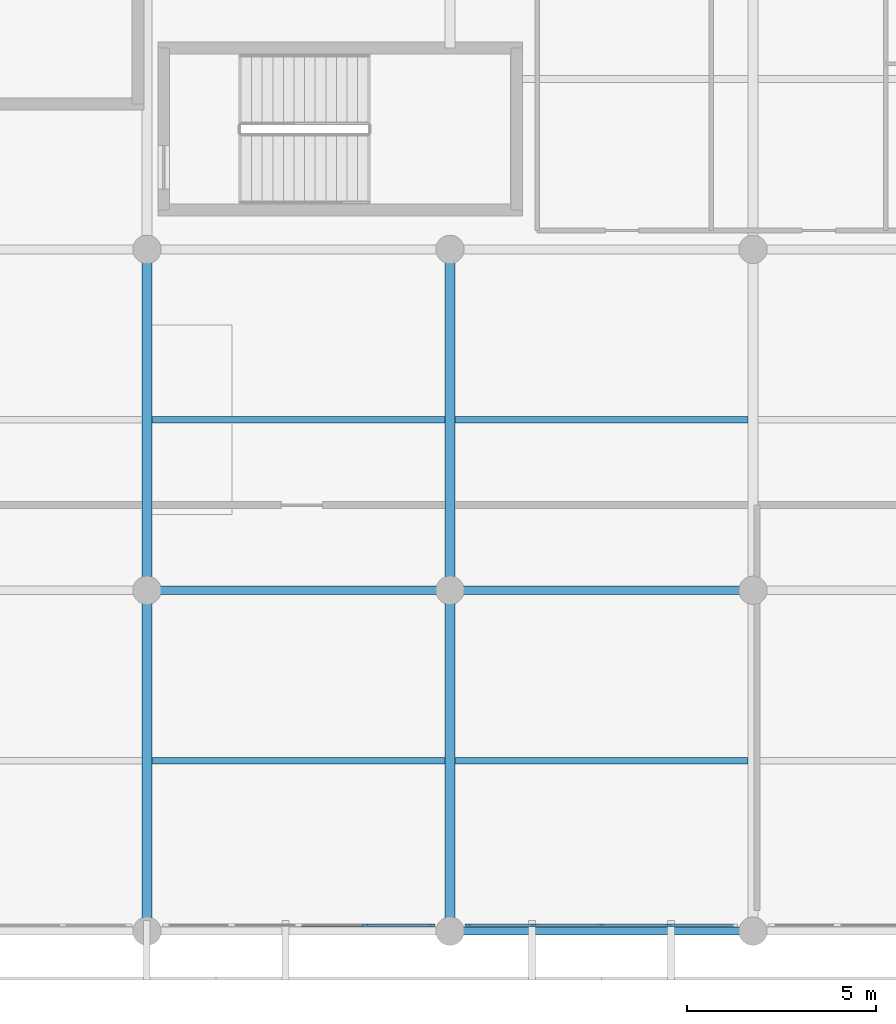
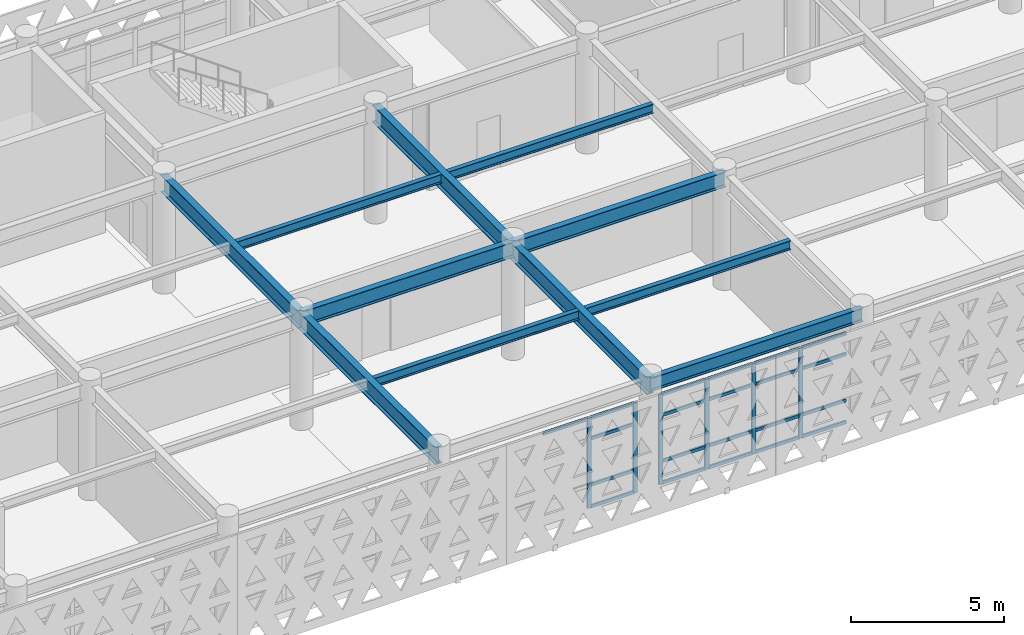
# One storey, part 8 of 33: 27 members, 11 beams, 2 elements without a shape of their own.
"""IFC4 building model written with IfcOpenShell, lengths in metres."""

from ifc_helpers import new_model, si_unit, direction, frame, origin, origin_2d, place, context, subcontext, project, spatial, rectangle, i_section, extrude, material, layer, layer_set, material_profile, profile_set, type_object, element, aggregate, save


model = new_model("IFC4")

# Units and contexts
model_context = context("Model", 3, precision=1e-05, world=origin(), true_north=direction((0.0, 1.0)))
body_context = subcontext(model_context, "Body", "Model", "MODEL_VIEW")
ifc_project = project(units=[si_unit("LENGTHUNIT", "METRE"), si_unit("AREAUNIT", "SQUARE_METRE"), si_unit("VOLUMEUNIT", "CUBIC_METRE"), si_unit("PLANEANGLEUNIT", "RADIAN"), si_unit("MASSUNIT", "GRAM", prefix="KILO")], contexts=[model_context])

# Site, building, storey
site_placement = place(None, origin())
site = spatial("IfcSite", under=ifc_project, at=site_placement, CompositionType="ELEMENT")
building_placement = place(site_placement, origin())
building = spatial("IfcBuilding", under=site, at=building_placement, Name="Tlacozan Convention Centre", CompositionType="ELEMENT")
storey_placement = place(building_placement, frame((0.0, 0.0, 16.199951171875)))
storey = spatial("IfcBuildingStorey", under=building, at=storey_placement, Name="L03", CompositionType="ELEMENT", Elevation=16.199951171875)

# Curtain wall, members
ifc_material_1 = material(Name="Dark Bronze Anodised Aluminium", Category="aluminium")
ifc_layer = layer(ifc_material_1, 0.159912109375)
ifc_layer_set = layer_set([ifc_layer], Name="Dark Bronze Anodised Aluminium")
curtain_wall_type = type_object("IfcCurtainWallType", Name="Unitised Congress L03 South CW04", PredefinedType="NOTDEFINED", material=ifc_layer_set)
curtain_wall_1_placement = place(storey_placement, origin())
curtain_wall_1 = element("IfcCurtainWall", 1, at=curtain_wall_1_placement, inside=storey, type_object=curtain_wall_type, Name="L03 CW-04 Run 106", PredefinedType="NOTDEFINED")
ifc_material_profile_1 = material_profile(ifc_material_1, rectangle(XDim=0.06494140625, YDim=0.159912109375, at=origin_2d()), Name="ALU 65x160")
ifc_profile_set_1 = profile_set([ifc_material_profile_1], Name="Dark Bronze Anodised Aluminium")
member_type_1 = type_object("IfcMemberType", Name="Curtain Wall Mullion 65x160", PredefinedType="MULLION", material=ifc_profile_set_1)
member_1_placement = place(storey_placement, frame((53.77490234375, 0.159912109375, 0.0), z_axis=(0.0, 0.0, 1.0), x_axis=(0.0, 1.0, 0.0)))
member_1 = element("IfcMember", 2, at=member_1_placement, type_object=member_type_1, Name="CW-04 mullion 4", PredefinedType="MULLION", context=body_context, shape_type="SweptSolid", body=[
    extrude(rectangle(XDim=0.06494140625, YDim=0.159912109375, at=origin_2d()), origin(), (0.0, 0.0, 1.0), 3.60009765625),
])
member_2_placement = place(storey_placement, frame((55.517578125, 0.159912109375, 0.0), z_axis=(0.0, 0.0, 1.0), x_axis=(0.0, 1.0, 0.0)))
member_2 = element("IfcMember", 3, at=member_2_placement, type_object=member_type_1, Name="CW-04 mullion 5", PredefinedType="MULLION", context=body_context, shape_type="SweptSolid", body=[
    extrude(rectangle(XDim=0.06494140625, YDim=0.159912109375, at=origin_2d()), origin(), (0.0, 0.0, 1.0), 3.60009765625),
])

curtain_wall_2_placement = place(storey_placement, origin())
curtain_wall_2 = element("IfcCurtainWall", 4, at=curtain_wall_2_placement, inside=storey, type_object=curtain_wall_type, Name="L03 CW-04 Run 107", PredefinedType="NOTDEFINED")
member_3_placement = place(storey_placement, frame((56.482421875, 0.159912109375, 0.0), z_axis=(0.0, 0.0, 1.0), x_axis=(0.0, 1.0, 0.0)))
member_3 = element("IfcMember", 5, at=member_3_placement, type_object=member_type_1, Name="CW-04 mullion 1", PredefinedType="MULLION", context=body_context, shape_type="SweptSolid", body=[
    extrude(rectangle(XDim=0.06494140625, YDim=0.159912109375, at=origin_2d()), origin(), (0.0, 0.0, 1.0), 3.60009765625),
])
member_4_placement = place(storey_placement, frame((58.22509765625, 0.159912109375, 0.0), z_axis=(0.0, 0.0, 1.0), x_axis=(0.0, 1.0, 0.0)))
member_4 = element("IfcMember", 6, at=member_4_placement, type_object=member_type_1, Name="CW-04 mullion 2", PredefinedType="MULLION", context=body_context, shape_type="SweptSolid", body=[
    extrude(rectangle(XDim=0.06494140625, YDim=0.159912109375, at=origin_2d()), origin(), (0.0, 0.0, 1.0), 3.60009765625),
])
member_5_placement = place(storey_placement, frame((60.0, 0.159912109375, 0.0), z_axis=(0.0, 0.0, 1.0), x_axis=(0.0, 1.0, 0.0)))
member_5 = element("IfcMember", 7, at=member_5_placement, type_object=member_type_1, Name="CW-04 mullion 3", PredefinedType="MULLION", context=body_context, shape_type="SweptSolid", body=[
    extrude(rectangle(XDim=0.06494140625, YDim=0.159912109375, at=origin_2d()), origin(), (0.0, 0.0, 1.0), 3.60009765625),
])
member_6_placement = place(storey_placement, frame((61.77490234375, 0.159912109375, 0.0), z_axis=(0.0, 0.0, 1.0), x_axis=(0.0, 1.0, 0.0)))
member_6 = element("IfcMember", 8, at=member_6_placement, type_object=member_type_1, Name="CW-04 mullion 4", PredefinedType="MULLION", context=body_context, shape_type="SweptSolid", body=[
    extrude(rectangle(XDim=0.06494140625, YDim=0.159912109375, at=origin_2d()), origin(), (0.0, 0.0, 1.0), 3.60009765625),
])

# Member
ifc_material_profile_2 = material_profile(ifc_material_1, rectangle(XDim=0.06494140625, YDim=0.125, at=origin_2d()), Name="ALU 65x125")
ifc_profile_set_2 = profile_set([ifc_material_profile_2], Name="Dark Bronze Anodised Aluminium")
member_type_2 = type_object("IfcMemberType", Name="Curtain Wall Transom 65x125", PredefinedType="USERDEFINED", material=ifc_profile_set_2)
member_7_placement = place(storey_placement, frame((52.032470703125, 0.159912109375, 3.567626953125), z_axis=(1.0, 0.0, 0.0), x_axis=(0.0, 1.0, 0.0)))
member_7 = element("IfcMember", 9, at=member_7_placement, type_object=member_type_2, Name="CW-04 transom 3.4", ObjectType="TRANSOM", PredefinedType="USERDEFINED", context=body_context, shape_type="SweptSolid", body=[
    extrude(rectangle(XDim=0.06494140625, YDim=0.125, at=origin_2d()), origin(), (0.0, 0.0, 1.0), 1.7099609375),
])

member_8_placement = place(storey_placement, frame((53.8076171875, 0.159912109375, 0.032470703125), z_axis=(1.0, 0.0, 0.0), x_axis=(0.0, 1.0, 0.0)))
member_8 = element("IfcMember", 10, at=member_8_placement, type_object=member_type_2, Name="CW-04 transom 4.1", ObjectType="TRANSOM", PredefinedType="USERDEFINED", context=body_context, shape_type="SweptSolid", body=[
    extrude(rectangle(XDim=0.06494140625, YDim=0.125, at=origin_2d()), origin(), (0.0, 0.0, 1.0), 1.677490234375),
])

member_9_placement = place(storey_placement, frame((53.8076171875, 0.159912109375, 0.900146484375), z_axis=(1.0, 0.0, 0.0), x_axis=(0.0, 1.0, 0.0)))
member_9 = element("IfcMember", 11, at=member_9_placement, type_object=member_type_2, Name="CW-04 transom 4.2", ObjectType="TRANSOM", PredefinedType="USERDEFINED", context=body_context, shape_type="SweptSolid", body=[
    extrude(rectangle(XDim=0.06494140625, YDim=0.125, at=origin_2d()), origin(), (0.0, 0.0, 1.0), 1.677490234375),
])

member_10_placement = place(storey_placement, frame((53.8076171875, 0.159912109375, 2.75), z_axis=(1.0, 0.0, 0.0), x_axis=(0.0, 1.0, 0.0)))
member_10 = element("IfcMember", 12, at=member_10_placement, type_object=member_type_2, Name="CW-04 transom 4.3", ObjectType="TRANSOM", PredefinedType="USERDEFINED", context=body_context, shape_type="SweptSolid", body=[
    extrude(rectangle(XDim=0.06494140625, YDim=0.125, at=origin_2d()), origin(), (0.0, 0.0, 1.0), 1.677490234375),
])

member_11_placement = place(storey_placement, frame((53.8076171875, 0.159912109375, 3.567626953125), z_axis=(1.0, 0.0, 0.0), x_axis=(0.0, 1.0, 0.0)))
member_11 = element("IfcMember", 13, at=member_11_placement, type_object=member_type_2, Name="CW-04 transom 4.4", ObjectType="TRANSOM", PredefinedType="USERDEFINED", context=body_context, shape_type="SweptSolid", body=[
    extrude(rectangle(XDim=0.06494140625, YDim=0.125, at=origin_2d()), origin(), (0.0, 0.0, 1.0), 1.677490234375),
])

aggregate(curtain_wall_1, [member_1, member_2, member_7, member_8, member_9, member_10, member_11])

member_12_placement = place(storey_placement, frame((56.514892578125, 0.159912109375, 0.032470703125), z_axis=(1.0, 0.0, 0.0), x_axis=(0.0, 1.0, 0.0)))
member_12 = element("IfcMember", 14, at=member_12_placement, type_object=member_type_2, Name="CW-04 transom 1.1", ObjectType="TRANSOM", PredefinedType="USERDEFINED", context=body_context, shape_type="SweptSolid", body=[
    extrude(rectangle(XDim=0.06494140625, YDim=0.125, at=origin_2d()), origin(), (0.0, 0.0, 1.0), 1.677490234375),
])

member_13_placement = place(storey_placement, frame((56.514892578125, 0.159912109375, 0.900146484375), z_axis=(1.0, 0.0, 0.0), x_axis=(0.0, 1.0, 0.0)))
member_13 = element("IfcMember", 15, at=member_13_placement, type_object=member_type_2, Name="CW-04 transom 1.2", ObjectType="TRANSOM", PredefinedType="USERDEFINED", context=body_context, shape_type="SweptSolid", body=[
    extrude(rectangle(XDim=0.06494140625, YDim=0.125, at=origin_2d()), origin(), (0.0, 0.0, 1.0), 1.677490234375),
])

member_14_placement = place(storey_placement, frame((56.514892578125, 0.159912109375, 2.75), z_axis=(1.0, 0.0, 0.0), x_axis=(0.0, 1.0, 0.0)))
member_14 = element("IfcMember", 16, at=member_14_placement, type_object=member_type_2, Name="CW-04 transom 1.3", ObjectType="TRANSOM", PredefinedType="USERDEFINED", context=body_context, shape_type="SweptSolid", body=[
    extrude(rectangle(XDim=0.06494140625, YDim=0.125, at=origin_2d()), origin(), (0.0, 0.0, 1.0), 1.677490234375),
])

member_15_placement = place(storey_placement, frame((56.514892578125, 0.159912109375, 3.567626953125), z_axis=(1.0, 0.0, 0.0), x_axis=(0.0, 1.0, 0.0)))
member_15 = element("IfcMember", 17, at=member_15_placement, type_object=member_type_2, Name="CW-04 transom 1.4", ObjectType="TRANSOM", PredefinedType="USERDEFINED", context=body_context, shape_type="SweptSolid", body=[
    extrude(rectangle(XDim=0.06494140625, YDim=0.125, at=origin_2d()), origin(), (0.0, 0.0, 1.0), 1.677490234375),
])

member_16_placement = place(storey_placement, frame((58.257568359375, 0.159912109375, 0.032470703125), z_axis=(1.0, 0.0, 0.0), x_axis=(0.0, 1.0, 0.0)))
member_16 = element("IfcMember", 18, at=member_16_placement, type_object=member_type_2, Name="CW-04 transom 2.1", ObjectType="TRANSOM", PredefinedType="USERDEFINED", context=body_context, shape_type="SweptSolid", body=[
    extrude(rectangle(XDim=0.06494140625, YDim=0.125, at=origin_2d()), origin(), (0.0, 0.0, 1.0), 1.7099609375),
])

member_17_placement = place(storey_placement, frame((58.257568359375, 0.159912109375, 0.900146484375), z_axis=(1.0, 0.0, 0.0), x_axis=(0.0, 1.0, 0.0)))
member_17 = element("IfcMember", 19, at=member_17_placement, type_object=member_type_2, Name="CW-04 transom 2.2", ObjectType="TRANSOM", PredefinedType="USERDEFINED", context=body_context, shape_type="SweptSolid", body=[
    extrude(rectangle(XDim=0.06494140625, YDim=0.125, at=origin_2d()), origin(), (0.0, 0.0, 1.0), 1.7099609375),
])

member_18_placement = place(storey_placement, frame((58.257568359375, 0.159912109375, 2.75), z_axis=(1.0, 0.0, 0.0), x_axis=(0.0, 1.0, 0.0)))
member_18 = element("IfcMember", 20, at=member_18_placement, type_object=member_type_2, Name="CW-04 transom 2.3", ObjectType="TRANSOM", PredefinedType="USERDEFINED", context=body_context, shape_type="SweptSolid", body=[
    extrude(rectangle(XDim=0.06494140625, YDim=0.125, at=origin_2d()), origin(), (0.0, 0.0, 1.0), 1.7099609375),
])

member_19_placement = place(storey_placement, frame((58.257568359375, 0.159912109375, 3.567626953125), z_axis=(1.0, 0.0, 0.0), x_axis=(0.0, 1.0, 0.0)))
member_19 = element("IfcMember", 21, at=member_19_placement, type_object=member_type_2, Name="CW-04 transom 2.4", ObjectType="TRANSOM", PredefinedType="USERDEFINED", context=body_context, shape_type="SweptSolid", body=[
    extrude(rectangle(XDim=0.06494140625, YDim=0.125, at=origin_2d()), origin(), (0.0, 0.0, 1.0), 1.7099609375),
])

member_20_placement = place(storey_placement, frame((60.032470703125, 0.159912109375, 0.032470703125), z_axis=(1.0, 0.0, 0.0), x_axis=(0.0, 1.0, 0.0)))
member_20 = element("IfcMember", 22, at=member_20_placement, type_object=member_type_2, Name="CW-04 transom 3.1", ObjectType="TRANSOM", PredefinedType="USERDEFINED", context=body_context, shape_type="SweptSolid", body=[
    extrude(rectangle(XDim=0.06494140625, YDim=0.125, at=origin_2d()), origin(), (0.0, 0.0, 1.0), 1.7099609375),
])

member_21_placement = place(storey_placement, frame((60.032470703125, 0.159912109375, 0.900146484375), z_axis=(1.0, 0.0, 0.0), x_axis=(0.0, 1.0, 0.0)))
member_21 = element("IfcMember", 23, at=member_21_placement, type_object=member_type_2, Name="CW-04 transom 3.2", ObjectType="TRANSOM", PredefinedType="USERDEFINED", context=body_context, shape_type="SweptSolid", body=[
    extrude(rectangle(XDim=0.06494140625, YDim=0.125, at=origin_2d()), origin(), (0.0, 0.0, 1.0), 1.7099609375),
])

member_22_placement = place(storey_placement, frame((60.032470703125, 0.159912109375, 2.75), z_axis=(1.0, 0.0, 0.0), x_axis=(0.0, 1.0, 0.0)))
member_22 = element("IfcMember", 24, at=member_22_placement, type_object=member_type_2, Name="CW-04 transom 3.3", ObjectType="TRANSOM", PredefinedType="USERDEFINED", context=body_context, shape_type="SweptSolid", body=[
    extrude(rectangle(XDim=0.06494140625, YDim=0.125, at=origin_2d()), origin(), (0.0, 0.0, 1.0), 1.7099609375),
])

member_23_placement = place(storey_placement, frame((60.032470703125, 0.159912109375, 3.567626953125), z_axis=(1.0, 0.0, 0.0), x_axis=(0.0, 1.0, 0.0)))
member_23 = element("IfcMember", 25, at=member_23_placement, type_object=member_type_2, Name="CW-04 transom 3.4", ObjectType="TRANSOM", PredefinedType="USERDEFINED", context=body_context, shape_type="SweptSolid", body=[
    extrude(rectangle(XDim=0.06494140625, YDim=0.125, at=origin_2d()), origin(), (0.0, 0.0, 1.0), 1.7099609375),
])

member_24_placement = place(storey_placement, frame((61.8076171875, 0.159912109375, 0.032470703125), z_axis=(1.0, 0.0, 0.0), x_axis=(0.0, 1.0, 0.0)))
member_24 = element("IfcMember", 26, at=member_24_placement, type_object=member_type_2, Name="CW-04 transom 4.1", ObjectType="TRANSOM", PredefinedType="USERDEFINED", context=body_context, shape_type="SweptSolid", body=[
    extrude(rectangle(XDim=0.06494140625, YDim=0.125, at=origin_2d()), origin(), (0.0, 0.0, 1.0), 1.677490234375),
])

member_25_placement = place(storey_placement, frame((61.8076171875, 0.159912109375, 0.900146484375), z_axis=(1.0, 0.0, 0.0), x_axis=(0.0, 1.0, 0.0)))
member_25 = element("IfcMember", 27, at=member_25_placement, type_object=member_type_2, Name="CW-04 transom 4.2", ObjectType="TRANSOM", PredefinedType="USERDEFINED", context=body_context, shape_type="SweptSolid", body=[
    extrude(rectangle(XDim=0.06494140625, YDim=0.125, at=origin_2d()), origin(), (0.0, 0.0, 1.0), 1.677490234375),
])

member_26_placement = place(storey_placement, frame((61.8076171875, 0.159912109375, 2.75), z_axis=(1.0, 0.0, 0.0), x_axis=(0.0, 1.0, 0.0)))
member_26 = element("IfcMember", 28, at=member_26_placement, type_object=member_type_2, Name="CW-04 transom 4.3", ObjectType="TRANSOM", PredefinedType="USERDEFINED", context=body_context, shape_type="SweptSolid", body=[
    extrude(rectangle(XDim=0.06494140625, YDim=0.125, at=origin_2d()), origin(), (0.0, 0.0, 1.0), 1.677490234375),
])

member_27_placement = place(storey_placement, frame((61.8076171875, 0.159912109375, 3.567626953125), z_axis=(1.0, 0.0, 0.0), x_axis=(0.0, 1.0, 0.0)))
member_27 = element("IfcMember", 29, at=member_27_placement, type_object=member_type_2, Name="CW-04 transom 4.4", ObjectType="TRANSOM", PredefinedType="USERDEFINED", context=body_context, shape_type="SweptSolid", body=[
    extrude(rectangle(XDim=0.06494140625, YDim=0.125, at=origin_2d()), origin(), (0.0, 0.0, 1.0), 1.677490234375),
])

aggregate(curtain_wall_2, [member_3, member_4, member_5, member_6, member_12, member_13, member_14, member_15, member_16, member_17, member_18, member_19, member_20, member_21, member_22, member_23, member_24, member_25, member_26, member_27])

# Beams
ifc_material_2 = material(Name="Steel ASTM A992 Grade 50", Category="steel")
ifc_material_profile_3 = material_profile(ifc_material_2, i_section(OverallWidth=0.22900390625, OverallDepth=0.612060546875, WebThickness=0.011962890625, FlangeThickness=0.01953125, FilletRadius=0.012939453125, at=origin_2d()), Name="IR 610x125.0")
ifc_profile_set_3 = profile_set([ifc_material_profile_3], Name="Steel ASTM A992 Grade 50")
beam_type_1 = type_object("IfcBeamType", Name="Floor Beam IR 610x125", PredefinedType="BEAM", material=ifc_profile_set_3)
for number, where, z_axis, x_axis, name in (
    (30, (48.0, 9.0, 4.254150390625), (1.0, 0.0, 0.0), (0.0, 1.0, 0.0), "L03 Floor Beam IR 610x125 597"),
    (31, (56.0, 9.0, 4.254150390625), (1.0, 0.0, 0.0), (0.0, 1.0, 0.0), "L03 Floor Beam IR 610x125 601"),
):
    element("IfcBeam", number, at=place(storey_placement, frame(where, z_axis=z_axis, x_axis=x_axis)), inside=storey, type_object=beam_type_1, Name=name, PredefinedType="BEAM", context=body_context, shape_type="SweptSolid", body=[
        extrude(i_section(OverallWidth=0.22900390625, OverallDepth=0.612060546875, WebThickness=0.011962890625, FlangeThickness=0.01953125, FilletRadius=0.012939453125, at=origin_2d()), origin(), (0.0, 0.0, 1.0), 8.0),
    ])
ifc_material_profile_4 = material_profile(ifc_material_2, i_section(OverallWidth=0.256103515625, OverallDepth=0.693115234375, WebThickness=0.014404296875, FlangeThickness=0.023681640625, FilletRadius=0.014892578125, at=origin_2d()), Name="IR 686x170.0")
ifc_profile_set_4 = profile_set([ifc_material_profile_4], Name="Steel ASTM A992 Grade 50")
beam_type_2 = type_object("IfcBeamType", Name="Girder Steel IR 686x170", PredefinedType="BEAM", material=ifc_profile_set_4)
for number, where, z_axis, x_axis, name in (
    (32, (48.0, 0.0, 4.213623046875), (0.0, 1.0, 0.0), (-1.0, 0.0, 0.0), "L03 Girder Steel IR 686x170 552"),
    (33, (48.0, 9.0, 4.213623046875), (0.0, 1.0, 0.0), (-1.0, 0.0, 0.0), "L03 Girder Steel IR 686x170 553"),
    (34, (56.0, 0.0, 4.213623046875), (0.0, 1.0, 0.0), (-1.0, 0.0, 0.0), "L03 Girder Steel IR 686x170 555"),
    (35, (56.0, 9.0, 4.213623046875), (0.0, 1.0, 0.0), (-1.0, 0.0, 0.0), "L03 Girder Steel IR 686x170 556"),
):
    element("IfcBeam", number, at=place(storey_placement, frame(where, z_axis=z_axis, x_axis=x_axis)), inside=storey, type_object=beam_type_2, Name=name, PredefinedType="BEAM", context=body_context, shape_type="SweptSolid", body=[
        extrude(i_section(OverallWidth=0.256103515625, OverallDepth=0.693115234375, WebThickness=0.014404296875, FlangeThickness=0.023681640625, FilletRadius=0.014892578125, at=origin_2d()), origin(), (0.0, 0.0, 1.0), 9.0),
    ])
ifc_material_profile_5 = material_profile(ifc_material_2, i_section(OverallWidth=0.2109375, OverallDepth=0.5390625, WebThickness=0.01171875, FlangeThickness=0.018798828125, FilletRadius=0.012939453125, at=origin_2d()), Name="IR 533x109.0")
ifc_profile_set_5 = profile_set([ifc_material_profile_5], Name="Steel ASTM A992 Grade 50")
beam_type_3 = type_object("IfcBeamType", Name="Perimeter Spandrel IR 533x109", PredefinedType="SPANDREL", material=ifc_profile_set_5)
beam_placement = place(storey_placement, frame((56.0, 0.0, 4.29052734375), z_axis=(1.0, 0.0, 0.0), x_axis=(0.0, 1.0, 0.0)))
element("IfcBeam", 36, at=beam_placement, inside=storey, type_object=beam_type_3, Name="L03 Perimeter Spandrel IR 533x109 600", PredefinedType="SPANDREL", context=body_context, shape_type="SweptSolid", body=[
    extrude(i_section(OverallWidth=0.2109375, OverallDepth=0.5390625, WebThickness=0.01171875, FlangeThickness=0.018798828125, FilletRadius=0.012939453125, at=origin_2d()), origin(), (0.0, 0.0, 1.0), 8.0),
])
ifc_material_profile_6 = material_profile(ifc_material_2, i_section(OverallWidth=0.173095703125, OverallDepth=0.364013671875, WebThickness=0.009033203125, FlangeThickness=0.015625, FilletRadius=0.010009765625, at=origin_2d()), Name="IR 356x67.1")
ifc_profile_set_6 = profile_set([ifc_material_profile_6], Name="Steel ASTM A992 Grade 50")
beam_type_4 = type_object("IfcBeamType", Name="Secondary Joist IR 356x67.1", PredefinedType="JOIST", material=ifc_profile_set_6)
for number, where, z_axis, x_axis, name in (
    (37, (48.1259765625, 4.5, 4.3779296875), (1.0, 0.0, 0.0), (0.0, 1.0, 0.0), "L03 Secondary Joist IR 356x67.1 634"),
    (38, (48.1259765625, 13.5, 4.3779296875), (1.0, 0.0, 0.0), (0.0, 1.0, 0.0), "L03 Secondary Joist IR 356x67.1 635"),
    (39, (56.1259765625, 4.5, 4.3779296875), (1.0, 0.0, 0.0), (0.0, 1.0, 0.0), "L03 Secondary Joist IR 356x67.1 636"),
    (40, (56.1259765625, 13.5, 4.3779296875), (1.0, 0.0, 0.0), (0.0, 1.0, 0.0), "L03 Secondary Joist IR 356x67.1 637"),
):
    element("IfcBeam", number, at=place(storey_placement, frame(where, z_axis=z_axis, x_axis=x_axis)), inside=storey, type_object=beam_type_4, Name=name, PredefinedType="JOIST", context=body_context, shape_type="SweptSolid", body=[
        extrude(i_section(OverallWidth=0.173095703125, OverallDepth=0.364013671875, WebThickness=0.009033203125, FlangeThickness=0.015625, FilletRadius=0.010009765625, at=origin_2d()), origin(), (0.0, 0.0, 1.0), 7.748046875),
    ])

save(model, "model.ifc")
